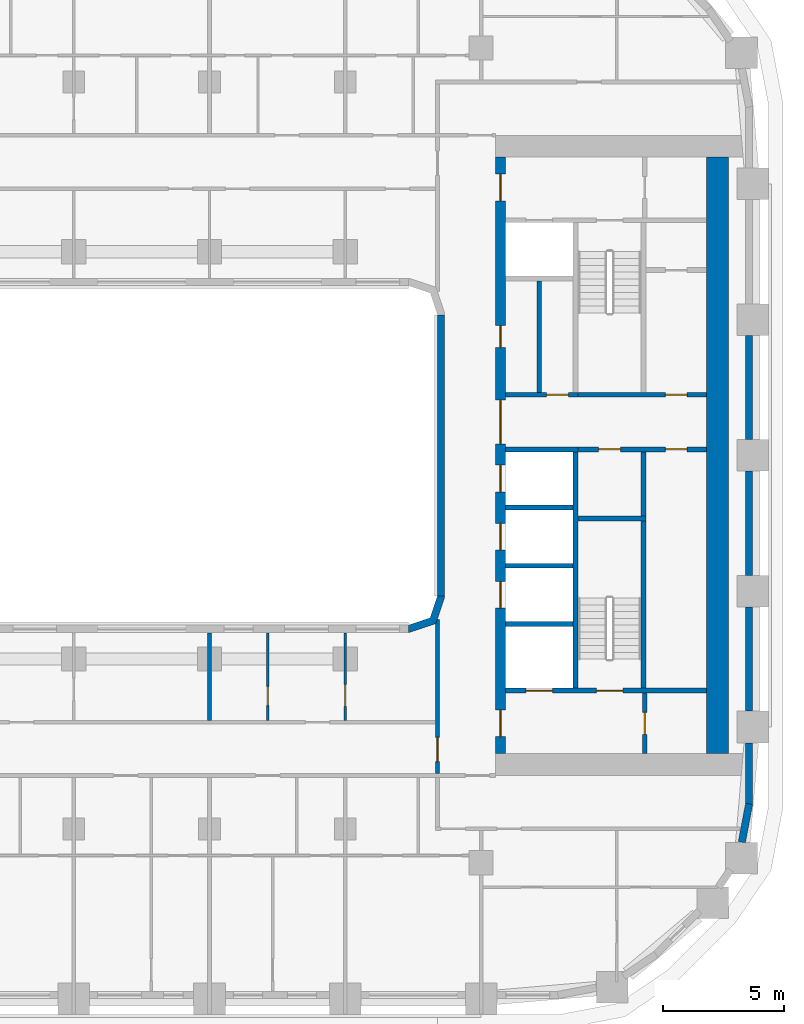
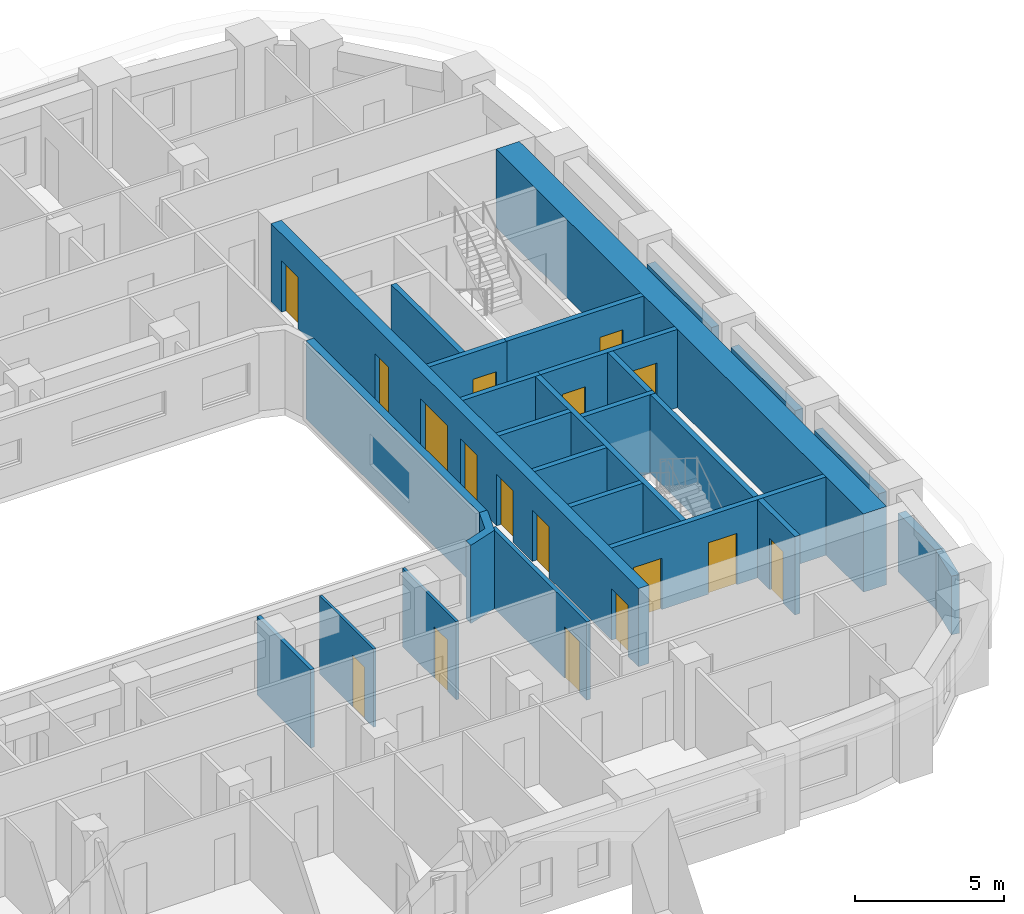
# One storey, part 6 of 19: 27 walls, 17 doors, 17 openings.
"""IFC4 building model written with IfcOpenShell, lengths in metres."""

from ifc_helpers import new_model, si_unit, direction, frame, frame_2d, origin, place, context, subcontext, project, spatial, polyline, rectangle, outline, extrude, material, layer, layer_set, type_object, element, fill, save


model = new_model("IFC4")

# Units and contexts
model_context = context("Model", 3, precision=1e-05, world=origin(), true_north=direction((0.0, 1.0)))
body_context = subcontext(model_context, "Body", "Model", "MODEL_VIEW")
ifc_project = project(units=[si_unit("LENGTHUNIT", "METRE"), si_unit("AREAUNIT", "SQUARE_METRE"), si_unit("VOLUMEUNIT", "CUBIC_METRE"), si_unit("PLANEANGLEUNIT", "RADIAN"), si_unit("MASSUNIT", "GRAM", prefix="KILO")], contexts=[model_context])

# Site, building, storey
site_placement = place(None, origin())
site = spatial("IfcSite", under=ifc_project, at=site_placement, CompositionType="ELEMENT")
building_placement = place(site_placement, origin())
building = spatial("IfcBuilding", under=site, at=building_placement, Name="Kiln Ring Residences", CompositionType="ELEMENT")
storey_placement = place(building_placement, frame((0.0, 0.0, 104.300048828125)))
storey = spatial("IfcBuildingStorey", under=building, at=storey_placement, Name="L26", CompositionType="ELEMENT", Elevation=104.300048828125)

# Wall
ifc_material_1 = material(Name="Gypsum board on steel studs", Category="steel")
ifc_layer_1 = layer(ifc_material_1, 0.199951171875)
ifc_layer_set_1 = layer_set([ifc_layer_1], Name="CORE-PARTITION-200")
wall_type_1 = type_object("IfcWallType", Name="CORE-PARTITION-200", PredefinedType="PARTITIONING", material=ifc_layer_set_1)
wall_1_placement = place(storey_placement, frame((23.5, -2.5, 0.0), z_axis=(0.0, 0.0, 1.0), x_axis=(0.0, 1.0, 0.0)))
element("IfcWall", 1, at=wall_1_placement, inside=storey, type_object=wall_type_1, Name="Core partition east L26 1", PredefinedType="PARTITIONING", context=body_context, shape_type="SweptSolid", body=[
    extrude(rectangle(XDim=2.64990234375, YDim=0.199951171875, at=frame_2d((1.324951171875, 0.0))), origin(), (0.0, 0.0, 1.0), 3.199951171875),
])

# Wall, openings, doors
wall_2_placement = place(storey_placement, frame((20.800048828125, 0.25, 0.0), z_axis=(0.0, 0.0, 1.0), x_axis=(1.0, 0.0, 0.0)))
wall_2 = element("IfcWall", 2, at=wall_2_placement, inside=storey, type_object=wall_type_1, Name="Core partition east L26 2", PredefinedType="PARTITIONING", context=body_context, shape_type="SweptSolid", body=[
    extrude(rectangle(XDim=5.300048828125, YDim=0.199951171875, at=frame_2d((2.64990234375, 0.0))), origin(), (0.0, 0.0, 1.0), 3.199951171875),
])
opening_1_placement = place(wall_2_placement, frame((0.85009765625, 0.0, 0.0)))
opening_1 = element("IfcOpeningElement", 3, at=opening_1_placement, cuts=wall_2, Name="Opening L26-CE15", PredefinedType="OPENING", context=body_context, shape_type="SweptSolid", body=[
    extrude(rectangle(XDim=0.89990234375, YDim=2.10009765625, at=frame_2d((0.449951171875, 1.050048828125))), frame((0.0, 0.10986328125, 0.0), z_axis=(0.0, -1.0, 0.0), x_axis=(1.0, 0.0, 0.0)), (0.0, 0.0, 1.0), 0.219970703125),
])
opening_2_placement = place(wall_2_placement, frame((3.60009765625, 0.0, 0.0)))
opening_2 = element("IfcOpeningElement", 4, at=opening_2_placement, cuts=wall_2, Name="Opening L26-CE16", PredefinedType="OPENING", context=body_context, shape_type="SweptSolid", body=[
    extrude(rectangle(XDim=0.89990234375, YDim=2.10009765625, at=frame_2d((0.449951171875, 1.050048828125))), frame((0.0, 0.10986328125, 0.0), z_axis=(0.0, -1.0, 0.0), x_axis=(1.0, 0.0, 0.0)), (0.0, 0.0, 1.0), 0.219970703125),
])
ifc_material_2 = material(Name="Steel door leaf", Category="steel")
door_type_1 = type_object("IfcDoorType", Name="CORE-DOOR-ROOM", OperationType="SINGLE_SWING_LEFT", PredefinedType="DOOR", material=ifc_material_2)
door_1_placement = place(opening_1_placement, origin())
door_1 = element("IfcDoor", 5, at=door_1_placement, inside=storey, type_object=door_type_1, Name="Refuse and recycling room L26-CE15", OperationType="SINGLE_SWING_RIGHT", OverallHeight=2.10009765625, OverallWidth=0.89990234375, PredefinedType="DOOR", context=body_context, shape_type="SweptSolid", body=[
    extrude(rectangle(XDim=0.89990234375, YDim=2.10009765625, at=frame_2d((0.449951171875, 1.050048828125))), frame((0.0, 0.02490234375, 0.0), z_axis=(0.0, -1.0, 0.0), x_axis=(1.0, 0.0, 0.0)), (0.0, 0.0, 1.0), 0.050048828125),
])
fill(opening_1, door_1)
door_2_placement = place(opening_2_placement, origin())
door_2 = element("IfcDoor", 6, at=door_2_placement, inside=storey, type_object=door_type_1, Name="Water tank room L26-CE16", OperationType="SINGLE_SWING_LEFT", OverallHeight=2.10009765625, OverallWidth=0.89990234375, PredefinedType="DOOR", context=body_context, shape_type="SweptSolid", body=[
    extrude(rectangle(XDim=0.89990234375, YDim=2.10009765625, at=frame_2d((0.449951171875, 1.050048828125))), frame((0.0, 0.02490234375, 0.0), z_axis=(0.0, -1.0, 0.0), x_axis=(1.0, 0.0, 0.0)), (0.0, 0.0, 1.0), 0.050048828125),
])
fill(opening_2, door_2)

# Wall
wall_3_placement = place(storey_placement, frame((19.199951171875, 2.60009765625, 0.0), z_axis=(0.0, 0.0, 1.0), x_axis=(0.0, 1.0, 0.0)))
element("IfcWall", 7, at=wall_3_placement, inside=storey, type_object=wall_type_1, Name="Core partition east L26 3", PredefinedType="PARTITIONING", context=body_context, shape_type="SweptSolid", body=[
    extrude(rectangle(XDim=4.599853515625, YDim=0.199951171875, at=frame_2d((2.2998046875, 0.0))), origin(), (0.0, 0.0, 1.0), 3.199951171875),
])

# Wall, opening, door
wall_4_placement = place(storey_placement, frame((23.550048828125, -12.300048828125, 0.0), z_axis=(0.0, 0.0, 1.0), x_axis=(0.0, 1.0, 0.0)))
wall_4 = element("IfcWall", 8, at=wall_4_placement, inside=storey, type_object=wall_type_1, Name="Core partition east L26 5", PredefinedType="PARTITIONING", context=body_context, shape_type="SweptSolid", body=[
    extrude(rectangle(XDim=2.5, YDim=0.199951171875, at=frame_2d((1.25, 0.0))), origin(), (0.0, 0.0, 1.0), 3.199951171875),
])
opening_3_placement = place(wall_4_placement, frame((0.800048828125, 0.0, 0.0)))
opening_3 = element("IfcOpeningElement", 9, at=opening_3_placement, cuts=wall_4, Name="Opening L26-CE11", PredefinedType="OPENING", context=body_context, shape_type="SweptSolid", body=[
    extrude(rectangle(XDim=0.89990234375, YDim=2.10009765625, at=frame_2d((0.449951171875, 1.050048828125))), frame((0.0, 0.10986328125, 0.0), z_axis=(0.0, -1.0, 0.0), x_axis=(1.0, 0.0, 0.0)), (0.0, 0.0, 1.0), 0.219970703125),
])
door_3_placement = place(opening_3_placement, origin())
door_3 = element("IfcDoor", 10, at=door_3_placement, inside=storey, type_object=door_type_1, Name="Store L26-CE11", OperationType="SINGLE_SWING_RIGHT", OverallHeight=2.10009765625, OverallWidth=0.89990234375, PredefinedType="DOOR", context=body_context, shape_type="SweptSolid", body=[
    extrude(rectangle(XDim=0.89990234375, YDim=2.10009765625, at=frame_2d((0.449951171875, 1.050048828125))), frame((0.0, 0.02490234375, 0.0), z_axis=(0.0, -1.0, 0.0), x_axis=(1.0, 0.0, 0.0)), (0.0, 0.0, 1.0), 0.050048828125),
])
fill(opening_3, door_3)

# Walls
ifc_material_3 = material(Name="Gypsum shaft wall system")
ifc_layer_2 = layer(ifc_material_3, 0.199951171875)
ifc_layer_set_2 = layer_set([ifc_layer_2], Name="CORE-SHAFT-WALL-200")
wall_type_2 = type_object("IfcWallType", Name="CORE-SHAFT-WALL-200", PredefinedType="PARTITIONING", material=ifc_layer_set_2)
for number, where, z_axis, x_axis, name in (
    (11, (17.800048828125, -6.949951171875, 0.0), (0.0, 0.0, 1.0), (1.0, 0.0, 0.0), "Core partition east L26 7"),
    (12, (17.800048828125, -4.550048828125, 0.0), (0.0, 0.0, 1.0), (1.0, 0.0, 0.0), "Core partition east L26 8"),
    (13, (17.800048828125, -2.14990234375, 0.0), (0.0, 0.0, 1.0), (1.0, 0.0, 0.0), "Core partition east L26 9"),
):
    element("IfcWall", number, at=place(storey_placement, frame(where, z_axis=z_axis, x_axis=x_axis)), inside=storey, type_object=wall_type_2, Name=name, PredefinedType="PARTITIONING", context=body_context, shape_type="SweptSolid", body=[
        extrude(rectangle(XDim=2.800048828125, YDim=0.199951171875, at=frame_2d((1.39990234375, 0.0))), origin(), (0.0, 0.0, 1.0), 3.199951171875),
    ])
wall_5_placement = place(storey_placement, frame((17.800048828125, 0.25, 0.0), z_axis=(0.0, 0.0, 1.0), x_axis=(1.0, 0.0, 0.0)))
element("IfcWall", 14, at=wall_5_placement, inside=storey, type_object=wall_type_2, Name="Core partition east L26 10", PredefinedType="PARTITIONING", context=body_context, shape_type="SweptSolid", body=[
    extrude(rectangle(XDim=3.0, YDim=0.199951171875, at=frame_2d((1.5, 0.0))), origin(), (0.0, 0.0, 1.0), 3.199951171875),
])

# Wall, opening, door
wall_6_placement = place(storey_placement, frame((17.800048828125, 2.5, 0.0), z_axis=(0.0, 0.0, 1.0), x_axis=(1.0, 0.0, 0.0)))
wall_6 = element("IfcWall", 15, at=wall_6_placement, inside=storey, type_object=wall_type_2, Name="Core partition east L26 11", PredefinedType="PARTITIONING", context=body_context, shape_type="SweptSolid", body=[
    extrude(rectangle(XDim=3.0, YDim=0.199951171875, at=frame_2d((1.5, 0.0))), origin(), (0.0, 0.0, 1.0), 3.199951171875),
])
opening_4_placement = place(wall_6_placement, frame((1.699951171875, 0.0, 0.0)))
opening_4 = element("IfcOpeningElement", 16, at=opening_4_placement, cuts=wall_6, Name="Opening L26-CE06", PredefinedType="OPENING", context=body_context, shape_type="SweptSolid", body=[
    extrude(rectangle(XDim=0.89990234375, YDim=2.10009765625, at=frame_2d((0.449951171875, 1.050048828125))), frame((0.0, 0.10986328125, 0.0), z_axis=(0.0, -1.0, 0.0), x_axis=(1.0, 0.0, 0.0)), (0.0, 0.0, 1.0), 0.219970703125),
])
door_4_placement = place(opening_4_placement, origin())
door_4 = element("IfcDoor", 17, at=door_4_placement, inside=storey, type_object=door_type_1, Name="Service store L26-CE06", OperationType="SINGLE_SWING_RIGHT", OverallHeight=2.10009765625, OverallWidth=0.89990234375, PredefinedType="DOOR", context=body_context, shape_type="SweptSolid", body=[
    extrude(rectangle(XDim=0.89990234375, YDim=2.10009765625, at=frame_2d((0.449951171875, 1.050048828125))), frame((0.0, 0.02490234375, 0.0), z_axis=(0.0, -1.0, 0.0), x_axis=(1.0, 0.0, 0.0)), (0.0, 0.0, 1.0), 0.050048828125),
])
fill(opening_4, door_4)

# Wall
ifc_material_4 = material(Name="Concrete C40/50", Category="concrete")
ifc_layer_3 = layer(ifc_material_4, 0.199951171875)
ifc_layer_set_3 = layer_set([ifc_layer_3], Name="CORE-WALL-RC200")
wall_type_3 = type_object("IfcWallType", Name="CORE-WALL-RC200", PredefinedType="SHEAR", material=ifc_layer_set_3)
wall_7_placement = place(storey_placement, frame((20.699951171875, -9.60009765625, 0.0), z_axis=(0.0, 0.0, 1.0), x_axis=(0.0, 1.0, 0.0)))
element("IfcWall", 18, at=wall_7_placement, inside=storey, type_object=wall_type_3, Name="Core wall east L26 2", PredefinedType="SHEAR", context=body_context, shape_type="SweptSolid", body=[
    extrude(rectangle(XDim=9.75, YDim=0.199951171875, at=frame_2d((4.875, 0.0))), origin(), (0.0, 0.0, 1.0), 3.199951171875),
])

# Wall, opening, door
wall_8_placement = place(storey_placement, frame((20.800048828125, 2.5, 0.0), z_axis=(0.0, 0.0, 1.0), x_axis=(1.0, 0.0, 0.0)))
wall_8 = element("IfcWall", 19, at=wall_8_placement, inside=storey, type_object=wall_type_3, Name="Core wall east L26 3", PredefinedType="SHEAR", context=body_context, shape_type="SweptSolid", body=[
    extrude(rectangle(XDim=5.300048828125, YDim=0.199951171875, at=frame_2d((2.64990234375, 0.0))), origin(), (0.0, 0.0, 1.0), 3.199951171875),
])
opening_5_placement = place(wall_8_placement, frame((3.60009765625, 0.0, 0.0)))
opening_5 = element("IfcOpeningElement", 20, at=opening_5_placement, cuts=wall_8, Name="Opening L26-CE18", PredefinedType="OPENING", context=body_context, shape_type="SweptSolid", body=[
    extrude(rectangle(XDim=0.89990234375, YDim=2.10009765625, at=frame_2d((0.449951171875, 1.050048828125))), frame((0.0, 0.10986328125, 0.0), z_axis=(0.0, -1.0, 0.0), x_axis=(1.0, 0.0, 0.0)), (0.0, 0.0, 1.0), 0.219970703125),
])
door_5_placement = place(opening_5_placement, origin())
door_5 = element("IfcDoor", 21, at=door_5_placement, inside=storey, type_object=door_type_1, Name="Electrical plant room L26-CE18", OperationType="SINGLE_SWING_RIGHT", OverallHeight=2.10009765625, OverallWidth=0.89990234375, PredefinedType="DOOR", context=body_context, shape_type="SweptSolid", body=[
    extrude(rectangle(XDim=0.89990234375, YDim=2.10009765625, at=frame_2d((0.449951171875, 1.050048828125))), frame((0.0, 0.02490234375, 0.0), z_axis=(0.0, -1.0, 0.0), x_axis=(1.0, 0.0, 0.0)), (0.0, 0.0, 1.0), 0.050048828125),
])
fill(opening_5, door_5)

# Wall, openings, doors
wall_9_placement = place(storey_placement, frame((17.800048828125, -9.699951171875, 0.0), z_axis=(0.0, 0.0, 1.0), x_axis=(1.0, 0.0, 0.0)))
wall_9 = element("IfcWall", 22, at=wall_9_placement, inside=storey, type_object=wall_type_3, Name="Core wall east L26 8", PredefinedType="SHEAR", context=body_context, shape_type="SweptSolid", body=[
    extrude(rectangle(XDim=8.300048828125, YDim=0.199951171875, at=frame_2d((4.14990234375, 0.0))), origin(), (0.0, 0.0, 1.0), 3.199951171875),
])
opening_6_placement = place(wall_9_placement, frame((0.85009765625, 0.0, 0.0)))
opening_6 = element("IfcOpeningElement", 23, at=opening_6_placement, cuts=wall_9, Name="Opening L26-CE01", PredefinedType="OPENING", context=body_context, shape_type="SweptSolid", body=[
    extrude(rectangle(XDim=1.10009765625, YDim=2.10009765625, at=frame_2d((0.550048828125, 1.050048828125))), frame((0.0, 0.10986328125, 0.0), z_axis=(0.0, -1.0, 0.0), x_axis=(1.0, 0.0, 0.0)), (0.0, 0.0, 1.0), 0.219970703125),
])
opening_7_placement = place(wall_9_placement, frame((3.75, 0.0, 0.0)))
opening_7 = element("IfcOpeningElement", 24, at=opening_7_placement, cuts=wall_9, Name="Opening L26-CE13", PredefinedType="OPENING", context=body_context, shape_type="SweptSolid", body=[
    extrude(rectangle(XDim=1.10009765625, YDim=2.10009765625, at=frame_2d((0.550048828125, 1.050048828125))), frame((0.0, 0.10986328125, 0.0), z_axis=(0.0, -1.0, 0.0), x_axis=(1.0, 0.0, 0.0)), (0.0, 0.0, 1.0), 0.219970703125),
])
ifc_material_5 = material(Name="Steel door leaf", Category="steel")
door_type_2 = type_object("IfcDoorType", Name="CORE-DOOR-LD", OperationType="DOUBLE_DOOR_SLIDING", PredefinedType="DOOR", material=ifc_material_5)
door_6_placement = place(opening_6_placement, origin())
door_6 = element("IfcDoor", 25, at=door_6_placement, inside=storey, type_object=door_type_2, Name="LD E-SV L26-CE01", OperationType="DOUBLE_DOOR_SLIDING", OverallHeight=2.10009765625, OverallWidth=1.10009765625, PredefinedType="DOOR", context=body_context, shape_type="SweptSolid", body=[
    extrude(rectangle(XDim=1.10009765625, YDim=2.10009765625, at=frame_2d((0.550048828125, 1.050048828125))), frame((0.0, 0.02490234375, 0.0), z_axis=(0.0, -1.0, 0.0), x_axis=(1.0, 0.0, 0.0)), (0.0, 0.0, 1.0), 0.050048828125),
])
fill(opening_6, door_6)
ifc_material_6 = material(Name="Steel door leaf", Category="steel")
door_type_3 = type_object("IfcDoorType", Name="CORE-DOOR-STAIR", OperationType="SINGLE_SWING_LEFT", PredefinedType="DOOR", material=ifc_material_6)
door_7_placement = place(opening_7_placement, origin())
door_7 = element("IfcDoor", 26, at=door_7_placement, inside=storey, type_object=door_type_3, Name="Stair E-STS L26-CE13", OperationType="SINGLE_SWING_LEFT", OverallHeight=2.10009765625, OverallWidth=1.10009765625, PredefinedType="DOOR", context=body_context, shape_type="SweptSolid", body=[
    extrude(rectangle(XDim=1.10009765625, YDim=2.10009765625, at=frame_2d((0.550048828125, 1.050048828125))), frame((0.0, 0.02490234375, 0.0), z_axis=(0.0, -1.0, 0.0), x_axis=(1.0, 0.0, 0.0)), (0.0, 0.0, 1.0), 0.050048828125),
])
fill(opening_7, door_7)

# Walls
wall_10_placement = place(storey_placement, frame((23.5, -9.60009765625, 0.0), z_axis=(0.0, 0.0, 1.0), x_axis=(0.0, 1.0, 0.0)))
element("IfcWall", 27, at=wall_10_placement, inside=storey, type_object=wall_type_3, Name="Core wall east L26 11", PredefinedType="SHEAR", context=body_context, shape_type="SweptSolid", body=[
    extrude(rectangle(XDim=6.900146484375, YDim=0.199951171875, at=frame_2d((3.4501953125, 0.0))), origin(), (0.0, 0.0, 1.0), 3.199951171875),
])
wall_11_placement = place(storey_placement, frame((20.800048828125, -2.60009765625, 0.0), z_axis=(0.0, 0.0, 1.0), x_axis=(1.0, 0.0, 0.0)))
element("IfcWall", 28, at=wall_11_placement, inside=storey, type_object=wall_type_3, Name="Core wall east L26 12", PredefinedType="SHEAR", context=body_context, shape_type="SweptSolid", body=[
    extrude(rectangle(XDim=2.800048828125, YDim=0.199951171875, at=frame_2d((1.39990234375, 0.0))), origin(), (0.0, 0.0, 1.0), 3.199951171875),
])

# Wall, openings, doors
ifc_material_7 = material(Name="Concrete C60/75", Category="concrete")
ifc_layer_4 = layer(ifc_material_7, 0.39990234375)
ifc_layer_set_4 = layer_set([ifc_layer_4], Name="CORE-WALL-RC400")
wall_type_4 = type_object("IfcWallType", Name="CORE-WALL-RC400", PredefinedType="SHEAR", material=ifc_layer_set_4)
wall_12_placement = place(storey_placement, frame((17.60009765625, -12.300048828125, 0.0), z_axis=(0.0, 0.0, 1.0), x_axis=(0.0, 1.0, 0.0)))
wall_12 = element("IfcWall", 29, at=wall_12_placement, inside=storey, type_object=wall_type_4, Name="Core wall east L26 6", PredefinedType="SHEAR", context=body_context, shape_type="SweptSolid", body=[
    extrude(rectangle(XDim=24.60009765625, YDim=0.39990234375, at=frame_2d((12.300048828125, 0.0))), origin(), (0.0, 0.0, 1.0), 3.199951171875),
])
opening_8_placement = place(wall_12_placement, frame((6.0, 0.0, 0.0)))
opening_8 = element("IfcOpeningElement", 30, at=opening_8_placement, cuts=wall_12, Name="Opening L26-CE02", PredefinedType="OPENING", context=body_context, shape_type="SweptSolid", body=[
    extrude(rectangle(XDim=1.10009765625, YDim=2.10009765625, at=frame_2d((0.550048828125, 1.050048828125))), frame((0.0, 0.2099609375, 0.0), z_axis=(0.0, -1.0, 0.0), x_axis=(1.0, 0.0, 0.0)), (0.0, 0.0, 1.0), 0.419921875),
])
opening_9_placement = place(wall_12_placement, frame((8.39990234375, 0.0, 0.0)))
opening_9 = element("IfcOpeningElement", 31, at=opening_9_placement, cuts=wall_12, Name="Opening L26-CE03", PredefinedType="OPENING", context=body_context, shape_type="SweptSolid", body=[
    extrude(rectangle(XDim=1.10009765625, YDim=2.10009765625, at=frame_2d((0.550048828125, 1.050048828125))), frame((0.0, 0.2099609375, 0.0), z_axis=(0.0, -1.0, 0.0), x_axis=(1.0, 0.0, 0.0)), (0.0, 0.0, 1.0), 0.419921875),
])
opening_10_placement = place(wall_12_placement, frame((10.800048828125, 0.0, 0.0)))
opening_10 = element("IfcOpeningElement", 32, at=opening_10_placement, cuts=wall_12, Name="Opening L26-CE04", PredefinedType="OPENING", context=body_context, shape_type="SweptSolid", body=[
    extrude(rectangle(XDim=1.10009765625, YDim=2.10009765625, at=frame_2d((0.550048828125, 1.050048828125))), frame((0.0, 0.2099609375, 0.0), z_axis=(0.0, -1.0, 0.0), x_axis=(1.0, 0.0, 0.0)), (0.0, 0.0, 1.0), 0.419921875),
])
opening_11_placement = place(wall_12_placement, frame((16.75, 0.0, 0.0)))
opening_11 = element("IfcOpeningElement", 33, at=opening_11_placement, cuts=wall_12, Name="Opening L26-CE05", PredefinedType="OPENING", context=body_context, shape_type="SweptSolid", body=[
    extrude(rectangle(XDim=0.89990234375, YDim=2.10009765625, at=frame_2d((0.449951171875, 1.050048828125))), frame((0.0, 0.2099609375, 0.0), z_axis=(0.0, -1.0, 0.0), x_axis=(1.0, 0.0, 0.0)), (0.0, 0.0, 1.0), 0.419921875),
])
opening_12_placement = place(wall_12_placement, frame((22.800048828125, 0.0, 0.0)))
opening_12 = element("IfcOpeningElement", 34, at=opening_12_placement, cuts=wall_12, Name="Opening L26-CE08", PredefinedType="OPENING", context=body_context, shape_type="SweptSolid", body=[
    extrude(rectangle(XDim=1.10009765625, YDim=2.10009765625, at=frame_2d((0.550048828125, 1.050048828125))), frame((0.0, 0.2099609375, 0.0), z_axis=(0.0, -1.0, 0.0), x_axis=(1.0, 0.0, 0.0)), (0.0, 0.0, 1.0), 0.419921875),
])
opening_13_placement = place(wall_12_placement, frame((0.699951171875, 0.0, 0.0)))
opening_13 = element("IfcOpeningElement", 35, at=opening_13_placement, cuts=wall_12, Name="Opening L26-CE09", PredefinedType="OPENING", context=body_context, shape_type="SweptSolid", body=[
    extrude(rectangle(XDim=1.10009765625, YDim=2.10009765625, at=frame_2d((0.550048828125, 1.050048828125))), frame((0.0, 0.2099609375, 0.0), z_axis=(0.0, -1.0, 0.0), x_axis=(1.0, 0.0, 0.0)), (0.0, 0.0, 1.0), 0.419921875),
])
opening_14_placement = place(wall_12_placement, frame((12.77490234375, 0.0, 0.0)))
opening_14 = element("IfcOpeningElement", 36, at=opening_14_placement, cuts=wall_12, Name="Opening L26-CE14", PredefinedType="OPENING", context=body_context, shape_type="SweptSolid", body=[
    extrude(rectangle(XDim=1.800048828125, YDim=2.10009765625, at=frame_2d((0.89990234375, 1.050048828125))), frame((0.0, 0.2099609375, 0.0), z_axis=(0.0, -1.0, 0.0), x_axis=(1.0, 0.0, 0.0)), (0.0, 0.0, 1.0), 0.419921875),
])
door_8_placement = place(opening_8_placement, origin())
door_8 = element("IfcDoor", 37, at=door_8_placement, inside=storey, type_object=door_type_2, Name="LD E-L1 L26-CE02", OperationType="DOUBLE_DOOR_SLIDING", OverallHeight=2.10009765625, OverallWidth=1.10009765625, PredefinedType="DOOR", context=body_context, shape_type="SweptSolid", body=[
    extrude(rectangle(XDim=1.10009765625, YDim=2.10009765625, at=frame_2d((0.550048828125, 1.050048828125))), frame((0.0, 0.02490234375, 0.0), z_axis=(0.0, -1.0, 0.0), x_axis=(1.0, 0.0, 0.0)), (0.0, 0.0, 1.0), 0.050048828125),
])
fill(opening_8, door_8)
door_9_placement = place(opening_9_placement, origin())
door_9 = element("IfcDoor", 38, at=door_9_placement, inside=storey, type_object=door_type_2, Name="LD E-L2 L26-CE03", OperationType="DOUBLE_DOOR_SLIDING", OverallHeight=2.10009765625, OverallWidth=1.10009765625, PredefinedType="DOOR", context=body_context, shape_type="SweptSolid", body=[
    extrude(rectangle(XDim=1.10009765625, YDim=2.10009765625, at=frame_2d((0.550048828125, 1.050048828125))), frame((0.0, 0.02490234375, 0.0), z_axis=(0.0, -1.0, 0.0), x_axis=(1.0, 0.0, 0.0)), (0.0, 0.0, 1.0), 0.050048828125),
])
fill(opening_9, door_9)
door_10_placement = place(opening_10_placement, origin())
door_10 = element("IfcDoor", 39, at=door_10_placement, inside=storey, type_object=door_type_2, Name="LD E-L3 L26-CE04", OperationType="DOUBLE_DOOR_SLIDING", OverallHeight=2.10009765625, OverallWidth=1.10009765625, PredefinedType="DOOR", context=body_context, shape_type="SweptSolid", body=[
    extrude(rectangle(XDim=1.10009765625, YDim=2.10009765625, at=frame_2d((0.550048828125, 1.050048828125))), frame((0.0, 0.02490234375, 0.0), z_axis=(0.0, -1.0, 0.0), x_axis=(1.0, 0.0, 0.0)), (0.0, 0.0, 1.0), 0.050048828125),
])
fill(opening_10, door_10)
ifc_material_8 = material(Name="Steel door leaf", Category="steel")
door_type_4 = type_object("IfcDoorType", Name="CORE-DOOR-LOBBY", OperationType="SINGLE_SWING_LEFT", PredefinedType="DOOR", material=ifc_material_8)
door_11_placement = place(opening_12_placement, origin())
door_11 = element("IfcDoor", 40, at=door_11_placement, inside=storey, type_object=door_type_4, Name="FFL L26-CE08", OperationType="SINGLE_SWING_RIGHT", OverallHeight=2.10009765625, OverallWidth=1.10009765625, PredefinedType="DOOR", context=body_context, shape_type="SweptSolid", body=[
    extrude(rectangle(XDim=1.10009765625, YDim=2.10009765625, at=frame_2d((0.550048828125, 1.050048828125))), frame((0.0, 0.02490234375, 0.0), z_axis=(0.0, -1.0, 0.0), x_axis=(1.0, 0.0, 0.0)), (0.0, 0.0, 1.0), 0.050048828125),
])
fill(opening_12, door_11)
door_12_placement = place(opening_13_placement, origin())
door_12 = element("IfcDoor", 41, at=door_12_placement, inside=storey, type_object=door_type_4, Name="SVL L26-CE09", OperationType="SINGLE_SWING_LEFT", OverallHeight=2.10009765625, OverallWidth=1.10009765625, PredefinedType="DOOR", context=body_context, shape_type="SweptSolid", body=[
    extrude(rectangle(XDim=1.10009765625, YDim=2.10009765625, at=frame_2d((0.550048828125, 1.050048828125))), frame((0.0, 0.02490234375, 0.0), z_axis=(0.0, -1.0, 0.0), x_axis=(1.0, 0.0, 0.0)), (0.0, 0.0, 1.0), 0.050048828125),
])
fill(opening_13, door_12)
ifc_material_9 = material(Name="Steel door leaf", Category="steel")
door_type_5 = type_object("IfcDoorType", Name="CORE-DOOR-PASS", OperationType="DOUBLE_DOOR_SINGLE_SWING", PredefinedType="DOOR", material=ifc_material_9)
door_13_placement = place(opening_14_placement, origin())
door_13 = element("IfcDoor", 42, at=door_13_placement, inside=storey, type_object=door_type_5, Name="Core passage L26-CE14", OperationType="DOUBLE_DOOR_SINGLE_SWING", OverallHeight=2.10009765625, OverallWidth=1.800048828125, PredefinedType="DOOR", context=body_context, shape_type="SweptSolid", body=[
    extrude(rectangle(XDim=1.800048828125, YDim=2.10009765625, at=frame_2d((0.89990234375, 1.050048828125))), frame((0.0, 0.02490234375, 0.0), z_axis=(0.0, -1.0, 0.0), x_axis=(1.0, 0.0, 0.0)), (0.0, 0.0, 1.0), 0.050048828125),
])
fill(opening_14, door_13)
door_14_placement = place(opening_11_placement, origin())
door_14 = element("IfcDoor", 43, at=door_14_placement, inside=storey, type_object=door_type_1, Name="Linen store L26-CE05", OperationType="SINGLE_SWING_RIGHT", OverallHeight=2.10009765625, OverallWidth=0.89990234375, PredefinedType="DOOR", context=body_context, shape_type="SweptSolid", body=[
    extrude(rectangle(XDim=0.89990234375, YDim=2.10009765625, at=frame_2d((0.449951171875, 1.050048828125))), frame((0.0, 0.02490234375, 0.0), z_axis=(0.0, -1.0, 0.0), x_axis=(1.0, 0.0, 0.0)), (0.0, 0.0, 1.0), 0.050048828125),
])
fill(opening_11, door_14)

# Walls
ifc_material_10 = material(Name="Concrete C60/75", Category="concrete")
ifc_layer_5 = layer(ifc_material_10, 0.89990234375)
ifc_layer_set_5 = layer_set([ifc_layer_5], Name="CORE-WALL-RC900")
wall_type_5 = type_object("IfcWallType", Name="CORE-WALL-RC900", PredefinedType="SHEAR", material=ifc_layer_set_5)
wall_13_placement = place(storey_placement, frame((26.550048828125, -12.300048828125, 0.0), z_axis=(0.0, 0.0, 1.0), x_axis=(0.0, 1.0, 0.0)))
element("IfcWall", 44, at=wall_13_placement, inside=storey, type_object=wall_type_5, Name="Core wall east L26 7", PredefinedType="SHEAR", context=body_context, shape_type="SweptSolid", body=[
    extrude(rectangle(XDim=24.60009765625, YDim=0.89990234375, at=frame_2d((12.300048828125, 0.0))), origin(), (0.0, 0.0, 1.0), 3.199951171875),
])
ifc_material_11 = material(Name="Brick masonry, dark clay brick", Category="masonry")
ifc_layer_6 = layer(ifc_material_11, 0.300048828125)
ifc_layer_set_6 = layer_set([ifc_layer_6], Name="EW-300 BRICK WALL")
wall_type_6 = type_object("IfcWallType", Name="EW-300 BRICK WALL", PredefinedType="SOLIDWALL", material=ifc_layer_set_6)
wall_14_placement = place(storey_placement, frame((27.5517578125, -15.949462890625, 0.0), z_axis=(0.0, 0.0, 1.0), x_axis=(0.187279751651, 0.982306619453, 0.0)))
element("IfcWall", 45, at=wall_14_placement, inside=storey, type_object=wall_type_6, Name="Facade wall L26 16", PredefinedType="SOLIDWALL", context=body_context, shape_type="SweptSolid", body=[
    extrude(rectangle(XDim=1.60595703125, YDim=0.300048828125, at=frame_2d((0.802978515625, 0.0))), origin(), (0.0, 0.0, 1.0), 2.39990234375),
])
wall_15_placement = place(storey_placement, frame((27.85009765625, -14.39990234375, 0.0), z_axis=(0.0, 0.0, 1.0), x_axis=(0.0, 1.0, 0.0)))
element("IfcWall", 46, at=wall_15_placement, inside=storey, type_object=wall_type_6, Name="Facade wall L26 17", PredefinedType="SOLIDWALL", context=body_context, shape_type="SweptSolid", body=[
    extrude(rectangle(XDim=2.5498046875, YDim=0.300048828125, at=frame_2d((1.27490234375, 0.0))), origin(), (0.0, 0.0, 1.0), 2.39990234375),
])
for number, where, z_axis, x_axis, name in (
    (47, (27.85009765625, -10.550048828125, 0.0), (0.0, 0.0, 1.0), (0.0, 1.0, 0.0), "Facade wall L26 18"),
    (48, (27.85009765625, -4.949951171875, 0.0), (0.0, 0.0, 1.0), (0.0, 1.0, 0.0), "Facade wall L26 19"),
    (49, (27.85009765625, 0.64990234375, 0.0), (0.0, 0.0, 1.0), (0.0, 1.0, 0.0), "Facade wall L26 20"),
):
    element("IfcWall", number, at=place(storey_placement, frame(where, z_axis=z_axis, x_axis=x_axis)), inside=storey, type_object=wall_type_6, Name=name, PredefinedType="SOLIDWALL", context=body_context, shape_type="SweptSolid", body=[
        extrude(rectangle(XDim=4.300048828125, YDim=0.300048828125, at=frame_2d((2.14990234375, 0.0))), origin(), (0.0, 0.0, 1.0), 2.39990234375),
    ])
wall_16_placement = place(storey_placement, frame((15.14990234375, 5.800048828125, 0.0), z_axis=(0.0, 0.0, 1.0), x_axis=(0.0, -1.0, 0.0)))
element("IfcWall", 50, at=wall_16_placement, inside=storey, type_object=wall_type_6, Name="Facade wall L26 51", PredefinedType="SOLIDWALL", context=body_context, shape_type="SweptSolid", body=[
    extrude(rectangle(XDim=11.60009765625, YDim=0.300048828125, at=frame_2d((5.800048828125, 0.0))), origin(), (0.0, 0.0, 1.0), 3.199951171875),
])
wall_17_placement = place(storey_placement, origin())
element("IfcWall", 51, at=wall_17_placement, inside=storey, type_object=wall_type_6, Name="Corner wall L26 3", PredefinedType="SOLIDWALL", context=body_context, shape_type="SweptSolid", body=[
    extrude(outline(polyline([(14.937255859375, -6.937255859375), (15.300048828125, -5.8486328125), (15.300048828125, -5.800048828125), (15.0, -5.800048828125), (14.699951171875, -6.699951171875), (13.800048828125, -7.0), (13.800048828125, -7.300048828125), (13.8486328125, -7.300048828125), (14.937255859375, -6.937255859375)])), origin(), (0.0, 0.0, 1.0), 3.199951171875),
])

# Wall, opening, door
ifc_material_12 = material(Name="Gypsum board on steel studs", Category="steel")
ifc_layer_7 = layer(ifc_material_12, 0.10009765625)
ifc_layer_set_7 = layer_set([ifc_layer_7], Name="PARTITION-100")
wall_type_7 = type_object("IfcWallType", Name="PARTITION-100", PredefinedType="PARTITIONING", material=ifc_layer_set_7)
wall_18_placement = place(storey_placement, frame((8.0, -10.925048828125, 0.0), z_axis=(0.0, 0.0, 1.0), x_axis=(0.0, 1.0, 0.0)))
wall_18 = element("IfcWall", 52, at=wall_18_placement, inside=storey, type_object=wall_type_7, Name="Partition 062", PredefinedType="PARTITIONING", context=body_context, shape_type="SweptSolid", body=[
    extrude(rectangle(XDim=3.60498046875, YDim=0.10009765625, at=frame_2d((1.802490234375, 0.0))), origin(), (0.0, 0.0, 1.0), 3.199951171875),
])
opening_15_placement = place(wall_18_placement, frame((0.60498046875, 0.0, 0.0)))
opening_15 = element("IfcOpeningElement", 53, at=opening_15_placement, cuts=wall_18, Name="Opening L26-D050", PredefinedType="OPENING", context=body_context, shape_type="SweptSolid", body=[
    extrude(rectangle(XDim=0.800048828125, YDim=2.10009765625, at=frame_2d((0.39990234375, 1.050048828125))), frame((0.0, 0.06005859375, 0.0), z_axis=(0.0, -1.0, 0.0), x_axis=(1.0, 0.0, 0.0)), (0.0, 0.0, 1.0), 0.1201171875),
])
ifc_material_13 = material(Name="Timber door leaf", Category="wood")
door_type_6 = type_object("IfcDoorType", Name="FLAT-DOOR-800-PL", OperationType="SINGLE_SWING_LEFT", PredefinedType="DOOR", material=ifc_material_13)
door_15_placement = place(opening_15_placement, origin())
door_15 = element("IfcDoor", 54, at=door_15_placement, inside=storey, type_object=door_type_6, Name="Door L26-D050", OperationType="SINGLE_SWING_RIGHT", OverallHeight=2.10009765625, OverallWidth=0.800048828125, PredefinedType="DOOR", context=body_context, shape_type="SweptSolid", body=[
    extrude(rectangle(XDim=0.800048828125, YDim=2.10009765625, at=frame_2d((0.39990234375, 1.050048828125))), frame((0.0, 0.02490234375, 0.0), z_axis=(0.0, -1.0, 0.0), x_axis=(1.0, 0.0, 0.0)), (0.0, 0.0, 1.0), 0.050048828125),
])
fill(opening_15, door_15)

wall_19_placement = place(storey_placement, frame((11.199951171875, -10.925048828125, 0.0), z_axis=(0.0, 0.0, 1.0), x_axis=(0.0, 1.0, 0.0)))
wall_19 = element("IfcWall", 55, at=wall_19_placement, inside=storey, type_object=wall_type_7, Name="Partition 065", PredefinedType="PARTITIONING", context=body_context, shape_type="SweptSolid", body=[
    extrude(rectangle(XDim=3.60498046875, YDim=0.10009765625, at=frame_2d((1.802490234375, 0.0))), origin(), (0.0, 0.0, 1.0), 3.199951171875),
])
opening_16_placement = place(wall_19_placement, frame((0.575927734375, 0.0, 0.0)))
opening_16 = element("IfcOpeningElement", 56, at=opening_16_placement, cuts=wall_19, Name="Opening L26-D051", PredefinedType="OPENING", context=body_context, shape_type="SweptSolid", body=[
    extrude(rectangle(XDim=0.89990234375, YDim=2.10009765625, at=frame_2d((0.449951171875, 1.050048828125))), frame((0.0, 0.06005859375, 0.0), z_axis=(0.0, -1.0, 0.0), x_axis=(1.0, 0.0, 0.0)), (0.0, 0.0, 1.0), 0.1201171875),
])
ifc_material_14 = material(Name="Timber door leaf", Category="wood")
door_type_7 = type_object("IfcDoorType", Name="FLAT-DOOR-900-PL", OperationType="SINGLE_SWING_LEFT", PredefinedType="DOOR", material=ifc_material_14)
door_16_placement = place(opening_16_placement, origin())
door_16 = element("IfcDoor", 57, at=door_16_placement, inside=storey, type_object=door_type_7, Name="Door L26-D051", OperationType="SINGLE_SWING_LEFT", OverallHeight=2.10009765625, OverallWidth=0.89990234375, PredefinedType="DOOR", context=body_context, shape_type="SweptSolid", body=[
    extrude(rectangle(XDim=0.89990234375, YDim=2.10009765625, at=frame_2d((0.449951171875, 1.050048828125))), frame((0.0, 0.02490234375, 0.0), z_axis=(0.0, -1.0, 0.0), x_axis=(1.0, 0.0, 0.0)), (0.0, 0.0, 1.0), 0.050048828125),
])
fill(opening_16, door_16)

# Wall
ifc_material_15 = material(Name="Brick masonry partition", Category="masonry")
ifc_layer_8 = layer(ifc_material_15, 0.14990234375)
ifc_layer_set_8 = layer_set([ifc_layer_8], Name="PARTITION-150-ei60")
wall_type_8 = type_object("IfcWallType", Name="PARTITION-150-ei60", PredefinedType="PARTITIONING", material=ifc_layer_set_8)
wall_20_placement = place(storey_placement, frame((5.60009765625, -10.925048828125, 0.0), z_axis=(0.0, 0.0, 1.0), x_axis=(0.0, 1.0, 0.0)))
element("IfcWall", 58, at=wall_20_placement, inside=storey, type_object=wall_type_8, Name="Partition 058", PredefinedType="PARTITIONING", context=body_context, shape_type="SweptSolid", body=[
    extrude(rectangle(XDim=3.60498046875, YDim=0.14990234375, at=frame_2d((1.802490234375, 0.0))), origin(), (0.0, 0.0, 1.0), 3.199951171875),
])

# Wall, opening, door
wall_21_placement = place(storey_placement, frame((15.0, -13.125, 0.0), z_axis=(0.0, 0.0, 1.0), x_axis=(0.0, 1.0, 0.0)))
wall_21 = element("IfcWall", 59, at=wall_21_placement, inside=storey, type_object=wall_type_8, Name="Partition 075", PredefinedType="PARTITIONING", context=body_context, shape_type="SweptSolid", body=[
    extrude(rectangle(XDim=6.356201171875, YDim=0.14990234375, at=frame_2d((3.17822265625, 0.0))), origin(), (0.0, 0.0, 1.0), 3.199951171875),
])
opening_17_placement = place(wall_21_placement, frame((0.49609375, 0.0, 0.0)))
opening_17 = element("IfcOpeningElement", 60, at=opening_17_placement, cuts=wall_21, Name="Opening L26-D006", PredefinedType="OPENING", context=body_context, shape_type="SweptSolid", body=[
    extrude(rectangle(XDim=1.0, YDim=2.10009765625, at=frame_2d((0.5, 1.050048828125))), frame((0.0, 0.0849609375, 0.0), z_axis=(0.0, -1.0, 0.0), x_axis=(1.0, 0.0, 0.0)), (0.0, 0.0, 1.0), 0.169921875),
])
ifc_material_16 = material(Name="Steel faced fire door leaf", Category="steel")
door_type_8 = type_object("IfcDoorType", Name="FLAT-DOOR-1000-FR", OperationType="SINGLE_SWING_LEFT", PredefinedType="DOOR", material=ifc_material_16)
door_17_placement = place(opening_17_placement, origin())
door_17 = element("IfcDoor", 61, at=door_17_placement, inside=storey, type_object=door_type_8, Name="Door L26-D006", OperationType="SINGLE_SWING_LEFT", OverallHeight=2.10009765625, OverallWidth=1.0, PredefinedType="DOOR", context=body_context, shape_type="SweptSolid", body=[
    extrude(rectangle(XDim=1.0, YDim=2.10009765625, at=frame_2d((0.5, 1.050048828125))), frame((0.0, 0.02490234375, 0.0), z_axis=(0.0, -1.0, 0.0), x_axis=(1.0, 0.0, 0.0)), (0.0, 0.0, 1.0), 0.050048828125),
])
fill(opening_17, door_17)

save(model, "model.ifc")
